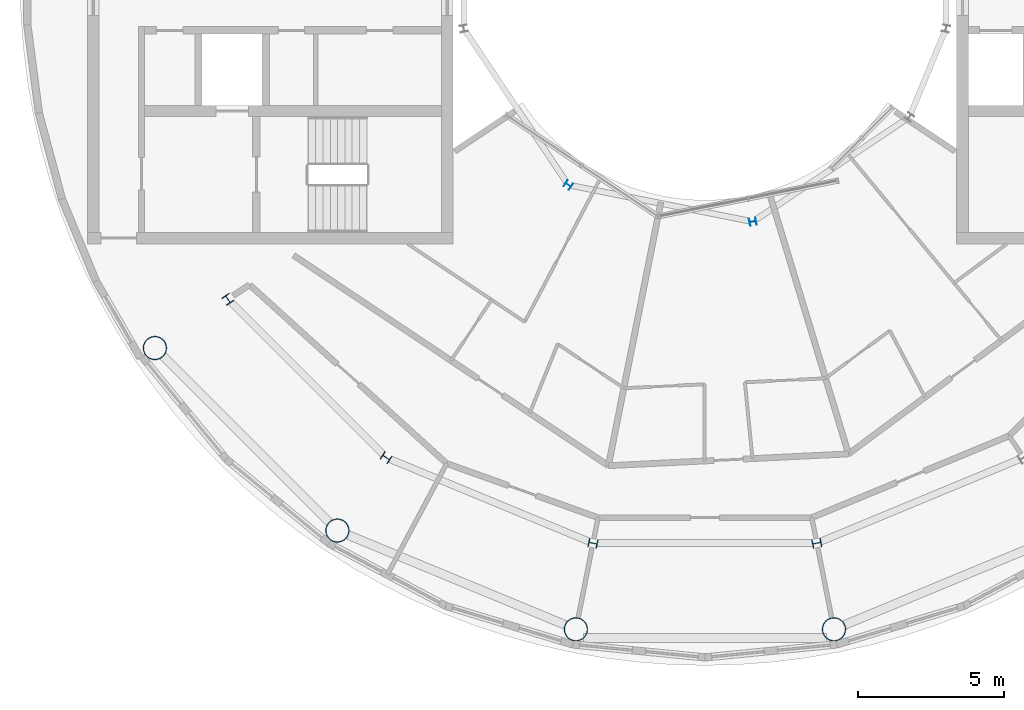
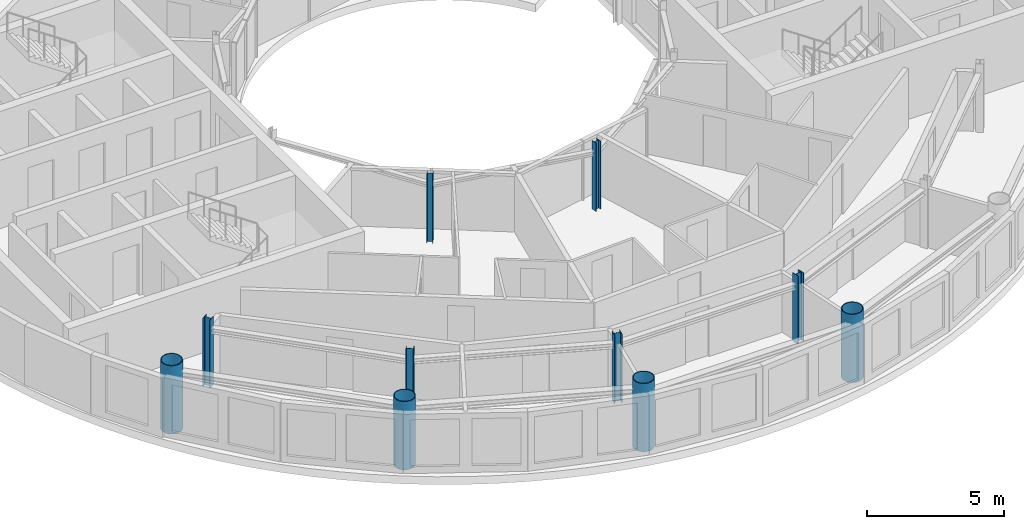
# One storey, part 1 of 17: 10 columns.
"""IFC4 building model written with IfcOpenShell, lengths in metres."""

from ifc_helpers import new_model, si_unit, direction, frame, origin, origin_2d, place, context, subcontext, project, spatial, hollow_circle, i_section, extrude, material, material_profile, profile_set, type_object, element, save


model = new_model("IFC4")

# Units and contexts
model_context = context("Model", 3, precision=1e-05, world=origin(), true_north=direction((0.0, 1.0)))
body_context = subcontext(model_context, "Body", "Model", "MODEL_VIEW")
ifc_project = project(units=[si_unit("LENGTHUNIT", "METRE"), si_unit("AREAUNIT", "SQUARE_METRE"), si_unit("VOLUMEUNIT", "CUBIC_METRE"), si_unit("PLANEANGLEUNIT", "RADIAN"), si_unit("MASSUNIT", "GRAM", prefix="KILO")], contexts=[model_context])

# Site, building, storey
site_placement = place(None, origin())
site = spatial("IfcSite", under=ifc_project, at=site_placement, CompositionType="ELEMENT")
building_placement = place(site_placement, origin())
building = spatial("IfcBuilding", under=site, at=building_placement, Name="Maasbend Ring Residences", CompositionType="ELEMENT")
storey_placement = place(building_placement, frame((0.0, 0.0, 252.35009765625)))
storey = spatial("IfcBuildingStorey", under=building, at=storey_placement, Name="L73", CompositionType="ELEMENT", Elevation=252.35009765625)

# Columns
ifc_material_1 = material(Name="Composite concrete-filled steel tube S460NH / C80/95", Category="concrete")
ifc_material_profile_1 = material_profile(ifc_material_1, hollow_circle(Radius=0.406494140625, WallThickness=0.030029296875, at=origin_2d()), Name="Composite tube column CHS 813x30")
ifc_profile_set_1 = profile_set([ifc_material_profile_1], Name="Composite concrete-filled steel tube S460NH / C80/95")
column_type_1 = type_object("IfcColumnType", Name="Composite tube column CHS 813x30", PredefinedType="COLUMN", material=ifc_profile_set_1)
for number, where, z_axis, x_axis, name in (
    (1, (-18.791259765625, -12.555908203125, 0.0), (0.0, 0.0, 1.0), (1.0, 0.0, 0.0), "Outer column R10"),
    (2, (-12.555908203125, -18.791259765625, 0.0), (0.0, 0.0, 1.0), (1.0, 0.0, 0.0), "Outer column R11"),
    (3, (-4.408935546875, -22.165771484375, 0.0), (0.0, 0.0, 1.0), (1.0, 0.0, 0.0), "Outer column R12"),
    (4, (4.408935546875, -22.165771484375, 0.0), (0.0, 0.0, 1.0), (1.0, 0.0, 0.0), "Outer column R13"),
):
    element("IfcColumn", number, at=place(storey_placement, frame(where, z_axis=z_axis, x_axis=x_axis)), inside=storey, type_object=column_type_1, Name=name, PredefinedType="COLUMN", context=body_context, shape_type="SweptSolid", body=[
        extrude(hollow_circle(Radius=0.406494140625, WallThickness=0.030029296875, at=origin_2d()), origin(), (0.0, 0.0, 1.0), 3.0498046875),
    ])
ifc_material_2 = material(Name="Steel S355J2", Category="steel")
ifc_material_profile_2 = material_profile(ifc_material_2, i_section(OverallWidth=0.239990234375, OverallDepth=0.22998046875, WebThickness=0.007568359375, FlangeThickness=0.011962890625, FilletRadius=0.02099609375, at=origin_2d()), Name="HEA 240")
ifc_profile_set_2 = profile_set([ifc_material_profile_2], Name="Steel S355J2")
column_type_2 = type_object("IfcColumnType", Name="Steel column HEA 240", PredefinedType="COLUMN", material=ifc_profile_set_2)
for number, where, z_axis, x_axis, name in (
    (5, (-4.666748046875, -6.984375, 0.0), (0.0, 0.0, 1.0), (-0.55557023302, -0.831469612303, 0.0), "Well ring column R11"),
    (6, (1.638916015625, -8.238525390625, 0.0), (0.0, 0.0, 1.0), (0.195090322016, -0.980785280403, 0.0), "Well ring column R13"),
):
    element("IfcColumn", number, at=place(storey_placement, frame(where, z_axis=z_axis, x_axis=x_axis)), inside=storey, type_object=column_type_2, Name=name, PredefinedType="COLUMN", context=body_context, shape_type="SweptSolid", body=[
        extrude(i_section(OverallWidth=0.239990234375, OverallDepth=0.22998046875, WebThickness=0.007568359375, FlangeThickness=0.011962890625, FilletRadius=0.02099609375, at=origin_2d()), origin(), (0.0, 0.0, 1.0), 3.0498046875),
    ])
ifc_material_3 = material(Name="Steel S355J2", Category="steel")
ifc_material_profile_3 = material_profile(ifc_material_3, i_section(OverallWidth=0.300048828125, OverallDepth=0.300048828125, WebThickness=0.010986328125, FlangeThickness=0.01904296875, FilletRadius=0.027099609375, at=origin_2d()), Name="HEB 300")
ifc_profile_set_3 = profile_set([ifc_material_profile_3], Name="Steel S355J2")
column_type_3 = type_object("IfcColumnType", Name="Steel column HEB 300", PredefinedType="COLUMN", material=ifc_profile_set_3)
for number, where, z_axis, x_axis, name in (
    (7, (-16.296875, -10.88916015625, 0.0), (0.0, 0.0, 1.0), (-0.831469612303, -0.55557023302, 0.0), "Corridor ring column R10"),
    (8, (-10.88916015625, -16.296875, 0.0), (0.0, 0.0, 1.0), (-0.55557023302, -0.831469612303, 0.0), "Corridor ring column R11"),
    (9, (-3.82373046875, -19.223388671875, 0.0), (0.0, 0.0, 1.0), (-0.195090322016, -0.980785280403, 0.0), "Corridor ring column R12"),
    (10, (3.82373046875, -19.223388671875, 0.0), (0.0, 0.0, 1.0), (0.195090322016, -0.980785280403, 0.0), "Corridor ring column R13"),
):
    element("IfcColumn", number, at=place(storey_placement, frame(where, z_axis=z_axis, x_axis=x_axis)), inside=storey, type_object=column_type_3, Name=name, PredefinedType="COLUMN", context=body_context, shape_type="SweptSolid", body=[
        extrude(i_section(OverallWidth=0.300048828125, OverallDepth=0.300048828125, WebThickness=0.010986328125, FlangeThickness=0.01904296875, FilletRadius=0.027099609375, at=origin_2d()), origin(), (0.0, 0.0, 1.0), 3.0498046875),
    ])

save(model, "model.ifc")
